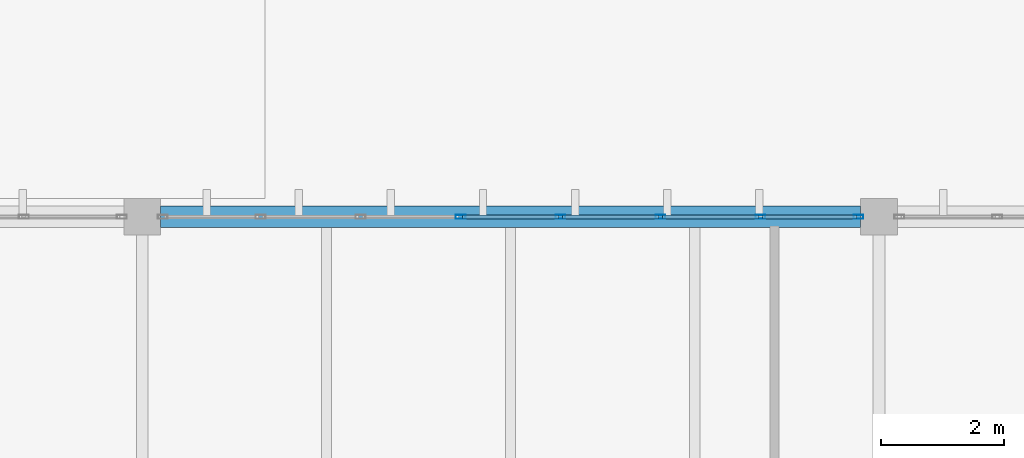
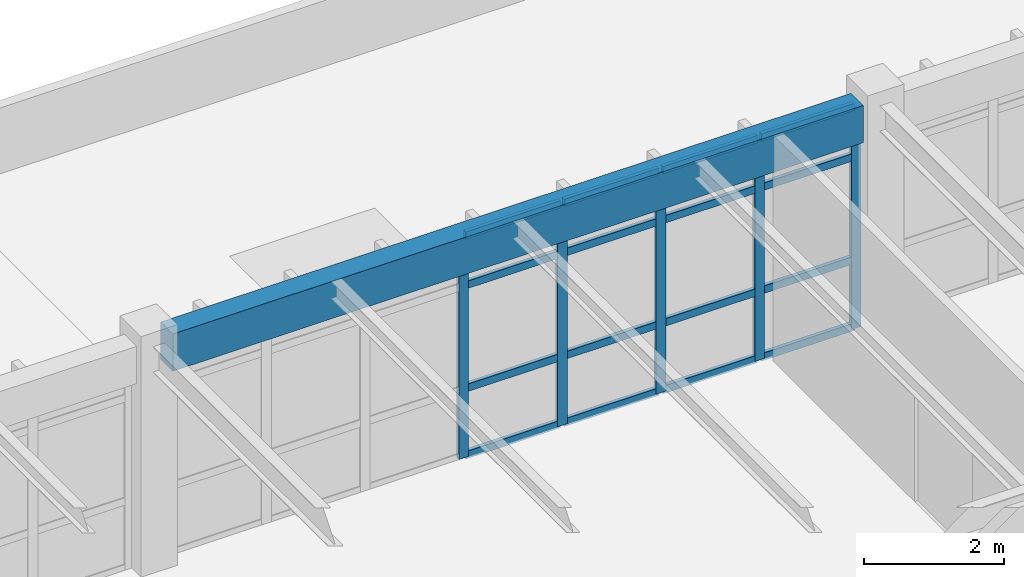
# One storey, part 21 of 37: 21 members, 1 beam, 1 element without a shape of its own.
"""IFC4 building model written with IfcOpenShell, lengths in metres."""

from ifc_helpers import new_model, si_unit, direction, frame, origin, origin_2d, place, context, subcontext, project, spatial, rectangle, hollow_rectangle, extrude, material, layer, layer_set, material_profile, profile_set, type_object, element, aggregate, save


model = new_model("IFC4")

# Units and contexts
model_context = context("Model", 3, precision=1e-05, world=origin(), true_north=direction((0.0, 1.0)))
body_context = subcontext(model_context, "Body", "Model", "MODEL_VIEW")
ifc_project = project(units=[si_unit("LENGTHUNIT", "METRE"), si_unit("AREAUNIT", "SQUARE_METRE"), si_unit("VOLUMEUNIT", "CUBIC_METRE"), si_unit("PLANEANGLEUNIT", "RADIAN"), si_unit("MASSUNIT", "GRAM", prefix="KILO")], contexts=[model_context])

# Site, building, storey
site_placement = place(None, origin())
site = spatial("IfcSite", under=ifc_project, at=site_placement, CompositionType="ELEMENT")
building_placement = place(site_placement, origin())
building = spatial("IfcBuilding", under=site, at=building_placement, Name="Pandanus Reach Market Hall", CompositionType="ELEMENT")
storey_placement = place(building_placement, frame((0.0, 0.0, 14.39990234375)))
storey = spatial("IfcBuildingStorey", under=building, at=storey_placement, Name="L03", CompositionType="ELEMENT", Elevation=14.39990234375)

# Beam
ifc_material_1 = material(Name="Concrete N40 (40 MPa)", Category="concrete")
ifc_material_profile_1 = material_profile(ifc_material_1, rectangle(XDim=0.35009765625, YDim=0.64990234375, at=origin_2d()), Name="RC350x650", Category="LoadBearing")
ifc_profile_set_1 = profile_set([ifc_material_profile_1], Name="Concrete N40 (40 MPa)")
beam_type = type_object("IfcBeamType", Name="BM-RC350-E", PredefinedType="SPANDREL", material=ifc_profile_set_1)
beam_placement = place(storey_placement, frame((156.298095703125, 76.800048828125, 3.635009765625), z_axis=(1.0, 0.0, 0.0), x_axis=(0.0, 1.0, 0.0)))
element("IfcBeam", 1, at=beam_placement, inside=storey, type_object=beam_type, Name="Framing beam BM-RC350-E L03.552", PredefinedType="SPANDREL", context=body_context, shape_type="SweptSolid", body=[
    extrude(rectangle(XDim=0.35009765625, YDim=0.64990234375, at=origin_2d()), origin(), (0.0, 0.0, 1.0), 11.40380859375),
])

# Curtain wall, members
ifc_material_2 = material(Name="Bronze anodised aluminium and low-E glass", Category="aluminium")
ifc_layer = layer(ifc_material_2, 0.159912109375, Name="CW-31")
ifc_layer_set = layer_set([ifc_layer], Name="Bronze anodised aluminium and low-E glass")
curtain_wall_type = type_object("IfcCurtainWallType", Name="CW-31", PredefinedType="NOTDEFINED", material=ifc_layer_set)
curtain_wall_placement = place(storey_placement, origin())
curtain_wall = element("IfcCurtainWall", 2, at=curtain_wall_placement, inside=storey, type_object=curtain_wall_type, Name="Glazed curtain wall CW-31 CW-0119", PredefinedType="NOTDEFINED")
ifc_material_3 = material(Name="Bronze anodised aluminium", Category="aluminium")
ifc_material_profile_2 = material_profile(ifc_material_3, hollow_rectangle(XDim=0.06494140625, YDim=0.159912109375, WallThickness=0.00390625, at=origin_2d()), Name="ALU65x160", Category="LoadBearing")
ifc_profile_set_2 = profile_set([ifc_material_profile_2], Name="Bronze anodised aluminium")
member_type_1 = type_object("IfcMemberType", Name="CW-M1", PredefinedType="MULLION", material=ifc_profile_set_2)
member_1_placement = place(storey_placement, frame((161.185791015625, 76.800048828125, 0.0), z_axis=(0.0, 0.0, 1.0), x_axis=(0.0, 1.0, 0.0)))
member_1 = element("IfcMember", 3, at=member_1_placement, type_object=member_type_1, Name="CW-31 mullion 4", PredefinedType="MULLION", context=body_context, shape_type="SweptSolid", body=[
    extrude(hollow_rectangle(XDim=0.06494140625, YDim=0.159912109375, WallThickness=0.00390625, at=origin_2d()), origin(), (0.0, 0.0, 1.0), 3.900146484375),
])
member_2_placement = place(storey_placement, frame((162.814208984375, 76.800048828125, 0.0), z_axis=(0.0, 0.0, 1.0), x_axis=(0.0, 1.0, 0.0)))
member_2 = element("IfcMember", 4, at=member_2_placement, type_object=member_type_1, Name="CW-31 mullion 5", PredefinedType="MULLION", context=body_context, shape_type="SweptSolid", body=[
    extrude(hollow_rectangle(XDim=0.06494140625, YDim=0.159912109375, WallThickness=0.00390625, at=origin_2d()), origin(), (0.0, 0.0, 1.0), 3.900146484375),
])
member_3_placement = place(storey_placement, frame((164.44287109375, 76.800048828125, 0.0), z_axis=(0.0, 0.0, 1.0), x_axis=(0.0, 1.0, 0.0)))
member_3 = element("IfcMember", 5, at=member_3_placement, type_object=member_type_1, Name="CW-31 mullion 6", PredefinedType="MULLION", context=body_context, shape_type="SweptSolid", body=[
    extrude(hollow_rectangle(XDim=0.06494140625, YDim=0.159912109375, WallThickness=0.00390625, at=origin_2d()), origin(), (0.0, 0.0, 1.0), 3.900146484375),
])
member_4_placement = place(storey_placement, frame((166.071533203125, 76.800048828125, 0.0), z_axis=(0.0, 0.0, 1.0), x_axis=(0.0, 1.0, 0.0)))
member_4 = element("IfcMember", 6, at=member_4_placement, type_object=member_type_1, Name="CW-31 mullion 7", PredefinedType="MULLION", context=body_context, shape_type="SweptSolid", body=[
    extrude(hollow_rectangle(XDim=0.06494140625, YDim=0.159912109375, WallThickness=0.00390625, at=origin_2d()), origin(), (0.0, 0.0, 1.0), 3.900146484375),
])
member_5_placement = place(storey_placement, frame((167.66748046875, 76.800048828125, 0.0), z_axis=(0.0, 0.0, 1.0), x_axis=(0.0, 1.0, 0.0)))
member_5 = element("IfcMember", 7, at=member_5_placement, type_object=member_type_1, Name="CW-31 mullion 8", PredefinedType="MULLION", context=body_context, shape_type="SweptSolid", body=[
    extrude(hollow_rectangle(XDim=0.06494140625, YDim=0.159912109375, WallThickness=0.00390625, at=origin_2d()), origin(), (0.0, 0.0, 1.0), 3.900146484375),
])
ifc_material_profile_3 = material_profile(ifc_material_3, hollow_rectangle(XDim=0.06494140625, YDim=0.1298828125, WallThickness=0.00390625, at=origin_2d()), Name="ALU65x130", Category="LoadBearing")
ifc_profile_set_3 = profile_set([ifc_material_profile_3], Name="Bronze anodised aluminium")
member_type_2 = type_object("IfcMemberType", Name="CW-T1", PredefinedType="USERDEFINED", material=ifc_profile_set_3)
member_6_placement = place(storey_placement, frame((161.21826171875, 76.800048828125, 0.03271484375), z_axis=(1.0, 0.0, 0.0), x_axis=(0.0, 1.0, 0.0)))
member_6 = element("IfcMember", 8, at=member_6_placement, type_object=member_type_2, Name="CW-31 transom 4.1", ObjectType="TRANSOM", PredefinedType="USERDEFINED", context=body_context, shape_type="SweptSolid", body=[
    extrude(hollow_rectangle(XDim=0.06494140625, YDim=0.1298828125, WallThickness=0.00390625, at=origin_2d()), origin(), (0.0, 0.0, 1.0), 1.5634765625),
])
member_7_placement = place(storey_placement, frame((161.21826171875, 76.800048828125, 1.2001953125), z_axis=(1.0, 0.0, 0.0), x_axis=(0.0, 1.0, 0.0)))
member_7 = element("IfcMember", 9, at=member_7_placement, type_object=member_type_2, Name="CW-31 transom 4.2", ObjectType="TRANSOM", PredefinedType="USERDEFINED", context=body_context, shape_type="SweptSolid", body=[
    extrude(hollow_rectangle(XDim=0.06494140625, YDim=0.1298828125, WallThickness=0.00390625, at=origin_2d()), origin(), (0.0, 0.0, 1.0), 1.5634765625),
])
member_8_placement = place(storey_placement, frame((161.21826171875, 76.800048828125, 3.0), z_axis=(1.0, 0.0, 0.0), x_axis=(0.0, 1.0, 0.0)))
member_8 = element("IfcMember", 10, at=member_8_placement, type_object=member_type_2, Name="CW-31 transom 4.3", ObjectType="TRANSOM", PredefinedType="USERDEFINED", context=body_context, shape_type="SweptSolid", body=[
    extrude(hollow_rectangle(XDim=0.06494140625, YDim=0.1298828125, WallThickness=0.00390625, at=origin_2d()), origin(), (0.0, 0.0, 1.0), 1.5634765625),
])
member_9_placement = place(storey_placement, frame((161.21826171875, 76.800048828125, 3.86767578125), z_axis=(1.0, 0.0, 0.0), x_axis=(0.0, 1.0, 0.0)))
member_9 = element("IfcMember", 11, at=member_9_placement, type_object=member_type_2, Name="CW-31 transom 4.4", ObjectType="TRANSOM", PredefinedType="USERDEFINED", context=body_context, shape_type="SweptSolid", body=[
    extrude(hollow_rectangle(XDim=0.06494140625, YDim=0.1298828125, WallThickness=0.00390625, at=origin_2d()), origin(), (0.0, 0.0, 1.0), 1.5634765625),
])
member_10_placement = place(storey_placement, frame((162.8466796875, 76.800048828125, 0.03271484375), z_axis=(1.0, 0.0, 0.0), x_axis=(0.0, 1.0, 0.0)))
member_10 = element("IfcMember", 12, at=member_10_placement, type_object=member_type_2, Name="CW-31 transom 5.1", ObjectType="TRANSOM", PredefinedType="USERDEFINED", context=body_context, shape_type="SweptSolid", body=[
    extrude(hollow_rectangle(XDim=0.06494140625, YDim=0.1298828125, WallThickness=0.00390625, at=origin_2d()), origin(), (0.0, 0.0, 1.0), 1.563720703125),
])
member_11_placement = place(storey_placement, frame((162.8466796875, 76.800048828125, 1.2001953125), z_axis=(1.0, 0.0, 0.0), x_axis=(0.0, 1.0, 0.0)))
member_11 = element("IfcMember", 13, at=member_11_placement, type_object=member_type_2, Name="CW-31 transom 5.2", ObjectType="TRANSOM", PredefinedType="USERDEFINED", context=body_context, shape_type="SweptSolid", body=[
    extrude(hollow_rectangle(XDim=0.06494140625, YDim=0.1298828125, WallThickness=0.00390625, at=origin_2d()), origin(), (0.0, 0.0, 1.0), 1.563720703125),
])
member_12_placement = place(storey_placement, frame((162.8466796875, 76.800048828125, 3.0), z_axis=(1.0, 0.0, 0.0), x_axis=(0.0, 1.0, 0.0)))
member_12 = element("IfcMember", 14, at=member_12_placement, type_object=member_type_2, Name="CW-31 transom 5.3", ObjectType="TRANSOM", PredefinedType="USERDEFINED", context=body_context, shape_type="SweptSolid", body=[
    extrude(hollow_rectangle(XDim=0.06494140625, YDim=0.1298828125, WallThickness=0.00390625, at=origin_2d()), origin(), (0.0, 0.0, 1.0), 1.563720703125),
])
member_13_placement = place(storey_placement, frame((162.8466796875, 76.800048828125, 3.86767578125), z_axis=(1.0, 0.0, 0.0), x_axis=(0.0, 1.0, 0.0)))
member_13 = element("IfcMember", 15, at=member_13_placement, type_object=member_type_2, Name="CW-31 transom 5.4", ObjectType="TRANSOM", PredefinedType="USERDEFINED", context=body_context, shape_type="SweptSolid", body=[
    extrude(hollow_rectangle(XDim=0.06494140625, YDim=0.1298828125, WallThickness=0.00390625, at=origin_2d()), origin(), (0.0, 0.0, 1.0), 1.563720703125),
])
member_14_placement = place(storey_placement, frame((164.475341796875, 76.800048828125, 0.03271484375), z_axis=(1.0, 0.0, 0.0), x_axis=(0.0, 1.0, 0.0)))
member_14 = element("IfcMember", 16, at=member_14_placement, type_object=member_type_2, Name="CW-31 transom 6.1", ObjectType="TRANSOM", PredefinedType="USERDEFINED", context=body_context, shape_type="SweptSolid", body=[
    extrude(hollow_rectangle(XDim=0.06494140625, YDim=0.1298828125, WallThickness=0.00390625, at=origin_2d()), origin(), (0.0, 0.0, 1.0), 1.5634765625),
])
member_15_placement = place(storey_placement, frame((164.475341796875, 76.800048828125, 1.2001953125), z_axis=(1.0, 0.0, 0.0), x_axis=(0.0, 1.0, 0.0)))
member_15 = element("IfcMember", 17, at=member_15_placement, type_object=member_type_2, Name="CW-31 transom 6.2", ObjectType="TRANSOM", PredefinedType="USERDEFINED", context=body_context, shape_type="SweptSolid", body=[
    extrude(hollow_rectangle(XDim=0.06494140625, YDim=0.1298828125, WallThickness=0.00390625, at=origin_2d()), origin(), (0.0, 0.0, 1.0), 1.5634765625),
])
member_16_placement = place(storey_placement, frame((164.475341796875, 76.800048828125, 3.0), z_axis=(1.0, 0.0, 0.0), x_axis=(0.0, 1.0, 0.0)))
member_16 = element("IfcMember", 18, at=member_16_placement, type_object=member_type_2, Name="CW-31 transom 6.3", ObjectType="TRANSOM", PredefinedType="USERDEFINED", context=body_context, shape_type="SweptSolid", body=[
    extrude(hollow_rectangle(XDim=0.06494140625, YDim=0.1298828125, WallThickness=0.00390625, at=origin_2d()), origin(), (0.0, 0.0, 1.0), 1.5634765625),
])
member_17_placement = place(storey_placement, frame((164.475341796875, 76.800048828125, 3.86767578125), z_axis=(1.0, 0.0, 0.0), x_axis=(0.0, 1.0, 0.0)))
member_17 = element("IfcMember", 19, at=member_17_placement, type_object=member_type_2, Name="CW-31 transom 6.4", ObjectType="TRANSOM", PredefinedType="USERDEFINED", context=body_context, shape_type="SweptSolid", body=[
    extrude(hollow_rectangle(XDim=0.06494140625, YDim=0.1298828125, WallThickness=0.00390625, at=origin_2d()), origin(), (0.0, 0.0, 1.0), 1.5634765625),
])
member_18_placement = place(storey_placement, frame((166.10400390625, 76.800048828125, 0.03271484375), z_axis=(1.0, 0.0, 0.0), x_axis=(0.0, 1.0, 0.0)))
member_18 = element("IfcMember", 20, at=member_18_placement, type_object=member_type_2, Name="CW-31 transom 7.1", ObjectType="TRANSOM", PredefinedType="USERDEFINED", context=body_context, shape_type="SweptSolid", body=[
    extrude(hollow_rectangle(XDim=0.06494140625, YDim=0.1298828125, WallThickness=0.00390625, at=origin_2d()), origin(), (0.0, 0.0, 1.0), 1.531005859375),
])
member_19_placement = place(storey_placement, frame((166.10400390625, 76.800048828125, 1.2001953125), z_axis=(1.0, 0.0, 0.0), x_axis=(0.0, 1.0, 0.0)))
member_19 = element("IfcMember", 21, at=member_19_placement, type_object=member_type_2, Name="CW-31 transom 7.2", ObjectType="TRANSOM", PredefinedType="USERDEFINED", context=body_context, shape_type="SweptSolid", body=[
    extrude(hollow_rectangle(XDim=0.06494140625, YDim=0.1298828125, WallThickness=0.00390625, at=origin_2d()), origin(), (0.0, 0.0, 1.0), 1.531005859375),
])
member_20_placement = place(storey_placement, frame((166.10400390625, 76.800048828125, 3.0), z_axis=(1.0, 0.0, 0.0), x_axis=(0.0, 1.0, 0.0)))
member_20 = element("IfcMember", 22, at=member_20_placement, type_object=member_type_2, Name="CW-31 transom 7.3", ObjectType="TRANSOM", PredefinedType="USERDEFINED", context=body_context, shape_type="SweptSolid", body=[
    extrude(hollow_rectangle(XDim=0.06494140625, YDim=0.1298828125, WallThickness=0.00390625, at=origin_2d()), origin(), (0.0, 0.0, 1.0), 1.531005859375),
])
member_21_placement = place(storey_placement, frame((166.10400390625, 76.800048828125, 3.86767578125), z_axis=(1.0, 0.0, 0.0), x_axis=(0.0, 1.0, 0.0)))
member_21 = element("IfcMember", 23, at=member_21_placement, type_object=member_type_2, Name="CW-31 transom 7.4", ObjectType="TRANSOM", PredefinedType="USERDEFINED", context=body_context, shape_type="SweptSolid", body=[
    extrude(hollow_rectangle(XDim=0.06494140625, YDim=0.1298828125, WallThickness=0.00390625, at=origin_2d()), origin(), (0.0, 0.0, 1.0), 1.531005859375),
])
aggregate(curtain_wall, [member_1, member_2, member_3, member_4, member_5, member_6, member_7, member_8, member_9, member_10, member_11, member_12, member_13, member_14, member_15, member_16, member_17, member_18, member_19, member_20, member_21])

save(model, "model.ifc")
